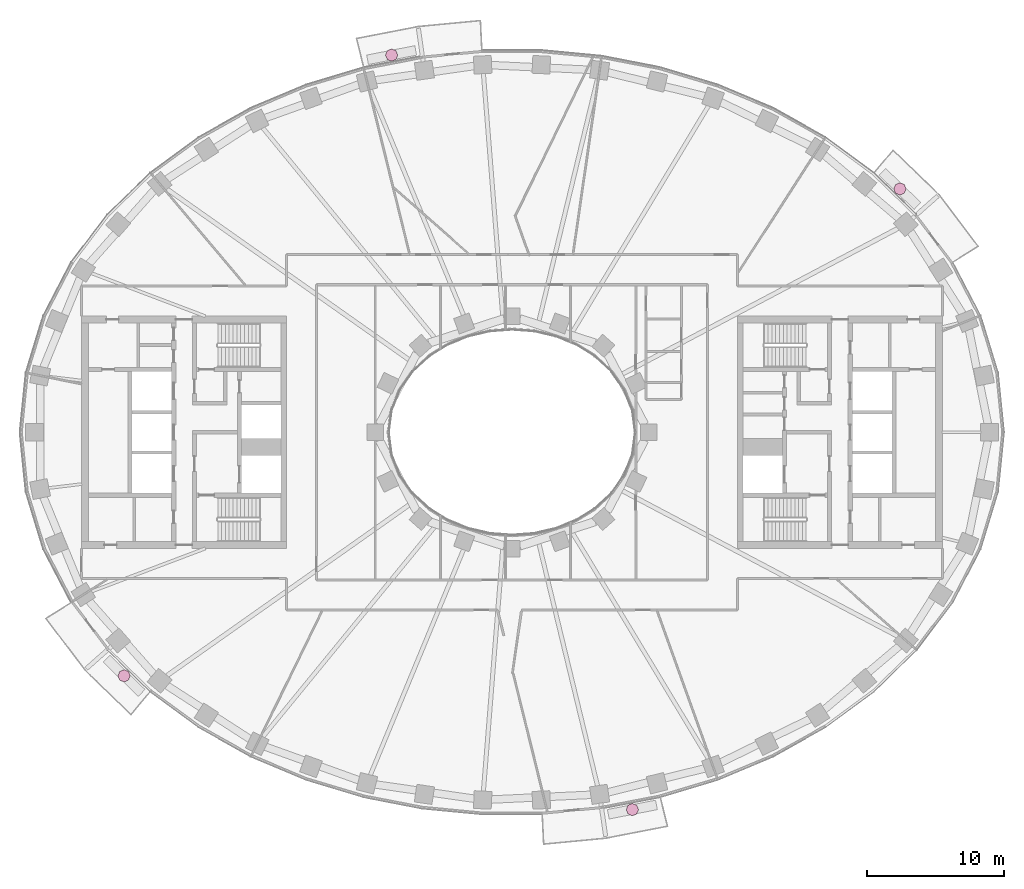
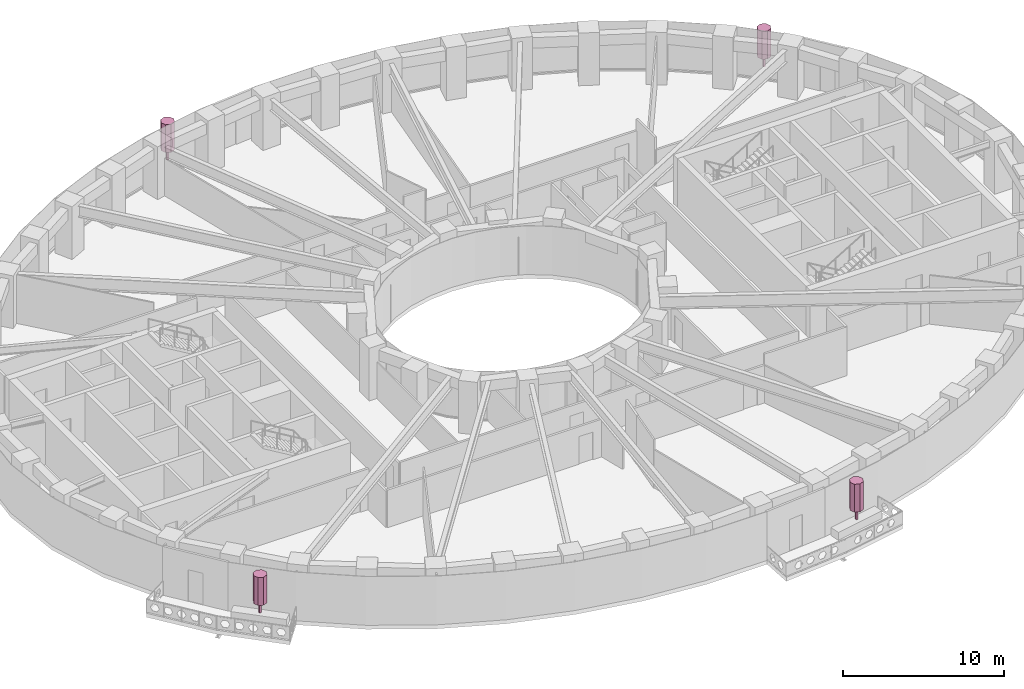
# One storey, part 16 of 16: 4 furnishings.
"""IFC4 building model written with IfcOpenShell, lengths in metres."""

from ifc_helpers import new_model, si_unit, direction, frame, origin, origin_2d, place, context, subcontext, project, spatial, polyline, rectangle, outline, extrude, material, type_object, element, save


model = new_model("IFC4")

# Units and contexts
model_context = context("Model", 3, precision=1e-05, world=origin(), true_north=direction((0.0, 1.0)))
body_context = subcontext(model_context, "Body", "Model", "MODEL_VIEW")
ifc_project = project(units=[si_unit("LENGTHUNIT", "METRE"), si_unit("AREAUNIT", "SQUARE_METRE"), si_unit("VOLUMEUNIT", "CUBIC_METRE"), si_unit("PLANEANGLEUNIT", "RADIAN"), si_unit("MASSUNIT", "GRAM", prefix="KILO")], contexts=[model_context])

# Site, building, storey
site_placement = place(None, origin())
site = spatial("IfcSite", under=ifc_project, at=site_placement, CompositionType="ELEMENT")
building_placement = place(site_placement, origin())
building = spatial("IfcBuilding", under=site, at=building_placement, Name="Noorbagh Ring Tower", CompositionType="ELEMENT")
storey_placement = place(building_placement, frame((0.0, 0.0, 108.0)))
storey = spatial("IfcBuildingStorey", under=building, at=storey_placement, Name="L24", CompositionType="ELEMENT", Elevation=108.0)

# Furnishings
ifc_material = material(Name="Planting foliage green")
furnishing_element_type = type_object("IfcFurnishingElementType", Name="ENV-TREE", material=ifc_material)
for number, where, z_axis, x_axis, name in (
    (1, (28.3837890625, 17.814208984375, 0.60009765625), (0.0, 0.0, 1.0), (1.0, 0.0, 0.0), "Tree BN01"),
    (2, (-8.807861328125, 27.603515625, 0.60009765625), (0.0, 0.0, 1.0), (1.0, 0.0, 0.0), "Tree BN04"),
    (3, (-28.3837890625, -17.814208984375, 0.60009765625), (0.0, 0.0, 1.0), (1.0, 0.0, 0.0), "Tree BS01"),
    (4, (8.807861328125, -27.603515625, 0.60009765625), (0.0, 0.0, 1.0), (1.0, 0.0, 0.0), "Tree BS04"),
):
    element("IfcFurnishingElement", number, at=place(storey_placement, frame(where, z_axis=z_axis, x_axis=x_axis)), inside=storey, type_object=furnishing_element_type, Name=name, context=body_context, shape_type="SweptSolid", body=[
        extrude(rectangle(XDim=0.1201171875, YDim=0.1201171875, at=origin_2d()), origin(), (0.0, 0.0, 1.0), 0.825927734375),
        extrude(outline(polyline([(0.449951171875, 0.0), (0.318115234375, 0.318115234375), (0.0, 0.449951171875), (-0.318115234375, 0.318115234375), (-0.449951171875, 0.0), (-0.318115234375, -0.318115234375), (0.0, -0.449951171875), (0.318115234375, -0.318115234375), (0.449951171875, 0.0)])), frame((0.0, 0.0, 0.825927734375)), (0.0, 0.0, 1.0), 2.1240234375),
    ])

save(model, "model.ifc")
